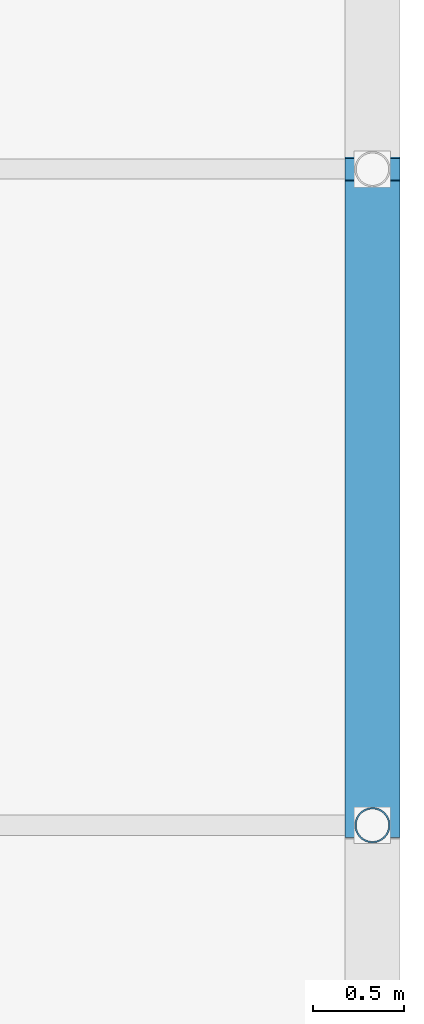
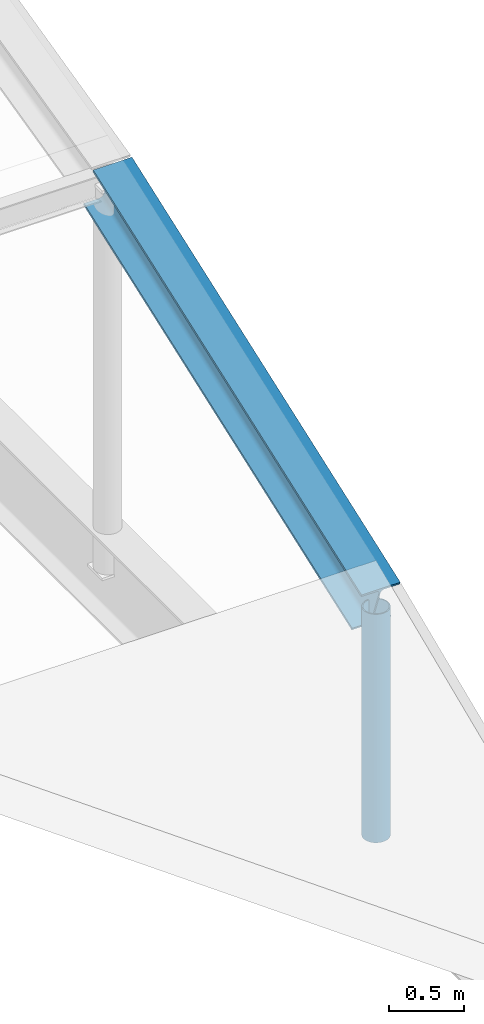
# One storey, part 173 of 239: 1 beam, 1 member.
"""IFC4 building model written with IfcOpenShell, lengths in metres."""

import ifcopenshell
import ifcopenshell.guid

model = None  # the IFC model being written
_history = None  # IfcOwnerHistory: only IFC2X3 demands one
_inside = {}  # id of a spatial element -> (the spatial element, [elements in it])
_under = {}  # id of a project, library or spatial element -> (it, [spatial elements below it])
_declared = {}  # id of a project -> (the project, [libraries it declares])
_typed = {}  # id of a type object -> (the type object, [elements of that type])
_made_of = {}  # id of a material, layer set ... -> (it, [elements and type objects made of it])


def new_model(schema):
    """Start an empty IFC model of exactly this schema.

    Asked for "IFC4X3", IfcOpenShell would pick the latest addendum, in which some entities
    have other attributes; the version numbers below select the first issue.
    IFC2X3 requires an IfcOwnerHistory on every rooted entity: one is made here for all.
    """
    global model, _history
    if schema == "IFC4X3":
        model = ifcopenshell.file(schema_version=(4, 3, 0, 0))
    else:
        model = ifcopenshell.file(schema=schema)
    _inside.clear()
    _under.clear()
    _declared.clear()
    _typed.clear()
    _made_of.clear()
    _history = None
    if model.schema == "IFC2X3":
        org = make("IfcOrganization", Name="unknown")
        user = make(
            "IfcPersonAndOrganization",
            ThePerson=make("IfcPerson", FamilyName="unknown"),
            TheOrganization=org,
        )
        app = make(
            "IfcApplication",
            ApplicationDeveloper=org,
            Version="unknown",
            ApplicationFullName="unknown",
            ApplicationIdentifier="unknown",
        )
        _history = make(
            "IfcOwnerHistory",
            OwningUser=user,
            OwningApplication=app,
            ChangeAction="ADDED",
            CreationDate=0,
        )
    return model


def make(cls, **values):
    """One entity of the class cls with the attributes given. An attribute that is None is left unset."""
    return model.create_entity(
        cls, **{name: value for name, value in values.items() if value is not None}
    )


def rooted(cls, **values):
    """An entity with a GlobalId (a new one), such as an element, a storey or a relation."""
    return make(cls, GlobalId=ifcopenshell.guid.new(), OwnerHistory=_history, **values)


def si_unit(unit_type, name, prefix=None):
    """IfcSIUnit, for example si_unit("LENGTHUNIT", "METRE", prefix="MILLI")."""
    return make("IfcSIUnit", UnitType=unit_type, Prefix=prefix, Name=name)


def assignment(units):
    """IfcUnitAssignment: the units of a project."""
    return None if units is None else make("IfcUnitAssignment", Units=units)


def point(xyz):
    """IfcCartesianPoint."""
    return None if xyz is None else make("IfcCartesianPoint", Coordinates=xyz)


def direction(xyz):
    """IfcDirection."""
    return None if xyz is None else make("IfcDirection", DirectionRatios=xyz)


def frame(location, z_axis=None, x_axis=None):
    """IfcAxis2Placement3D, a coordinate frame: its origin and axes. An axis left out is left unset."""
    return make(
        "IfcAxis2Placement3D",
        Location=point(location),
        Axis=direction(z_axis),
        RefDirection=direction(x_axis),
    )


def frame_2d(location, x_axis=None):
    """IfcAxis2Placement2D, a coordinate frame in the plane: its origin and x axis."""
    return make(
        "IfcAxis2Placement2D", Location=point(location), RefDirection=direction(x_axis)
    )


def origin():
    """The frame at (0, 0, 0) with its axes left unset."""
    return frame((0.0, 0.0, 0.0))


def origin_2d():
    """The frame at (0, 0) in the plane with its x axis left unset."""
    return frame_2d((0.0, 0.0))


def place(relative_to, where):
    """IfcLocalPlacement: puts the frame where relative to a parent placement (None: the world)."""
    return make(
        "IfcLocalPlacement", PlacementRelTo=relative_to, RelativePlacement=where
    )


def context(
    kind, dimensions, precision=None, world=None, true_north=None, identifier=None
):
    """IfcGeometricRepresentationContext, for example the 3D "Model" context."""
    return make(
        "IfcGeometricRepresentationContext",
        ContextIdentifier=identifier,
        ContextType=kind,
        CoordinateSpaceDimension=dimensions,
        Precision=precision,
        WorldCoordinateSystem=world,
        TrueNorth=true_north,
    )


def subcontext(parent, identifier, kind, view, scale=None):
    """IfcGeometricRepresentationSubContext, for example "Body" below "Model"."""
    return make(
        "IfcGeometricRepresentationSubContext",
        ContextIdentifier=identifier,
        ContextType=kind,
        ParentContext=parent,
        TargetScale=scale,
        TargetView=view,
    )


def project(units=None, contexts=None):
    """IfcProject with its units and contexts."""
    return rooted(
        "IfcProject",
        Name="project",
        RepresentationContexts=contexts,
        UnitsInContext=assignment(units),
    )


def spatial(cls, under=None, at=None, **own):
    """A site, building, storey or space (cls), placed at a placement, below another one or the project."""
    s = rooted(cls, ObjectPlacement=at, **own)
    if under is not None:
        _under.setdefault(under.id(), (under, []))[1].append(s)
    return s


def profile(cls, at=None, kind="AREA", **sizes):
    """A parametric profile (cls). Its sizes go by their IFC names, for example OverallWidth=200.0."""
    return make(cls, ProfileType=kind, Position=at, **sizes)


def hollow_circle(**sizes):
    """IfcCircleHollowProfileDef."""
    return profile("IfcCircleHollowProfileDef", **sizes)


def i_section(**sizes):
    """IfcIShapeProfileDef."""
    return profile("IfcIShapeProfileDef", **sizes)


def extrude(swept, where, along, depth):
    """IfcExtrudedAreaSolid: the profile swept, set in the frame where, extruded along a direction by depth."""
    return make(
        "IfcExtrudedAreaSolid",
        SweptArea=swept,
        Position=where,
        ExtrudedDirection=direction(along),
        Depth=depth,
    )


def shape(context_of_items, identifier, shape_type, items):
    """IfcShapeRepresentation: the items that make up one representation, for example the "Body"."""
    return make(
        "IfcShapeRepresentation",
        ContextOfItems=context_of_items,
        RepresentationIdentifier=identifier,
        RepresentationType=shape_type,
        Items=items,
    )


def material(Name=None, Category=None):
    """IfcMaterial."""
    return make("IfcMaterial", Name=Name, Category=Category)


def material_profile(
    of_material, cross_section, Name=None, Category=None, Priority=None
):
    """IfcMaterialProfile: a cross section and its material."""
    return make(
        "IfcMaterialProfile",
        Name=Name,
        Material=of_material,
        Profile=cross_section,
        Priority=Priority,
        Category=Category,
    )


def profile_set(profiles, Name=None, composite=None):
    """IfcMaterialProfileSet."""
    return make(
        "IfcMaterialProfileSet",
        Name=Name,
        MaterialProfiles=profiles,
        CompositeProfile=composite,
    )


def made_of(thing, what):
    """Note that an element or type object is made of a material, layer set ...; save() writes the relation."""
    if what is not None:
        _made_of.setdefault(what.id(), (what, []))[1].append(thing)
    return thing


def type_object(cls, material=None, **own):
    """A type object (cls), such as IfcWallType, which elements share."""
    return made_of(rooted(cls, **own), material)


def element(
    cls,
    number,
    at=None,
    inside=None,
    cuts=None,
    type_object=None,
    material=None,
    context=None,
    identifier="Body",
    shape_type=None,
    held_by="IfcProductDefinitionShape",
    body=None,
    shapes=None,
    **own,
):
    """One element of the class cls, such as IfcWall. Its Tag is "e" and its number.

    at: its placement. inside: the storey or other place that contains it. cuts: it is an
    opening in that element (IfcRelVoidsElement). A single representation is given by context,
    identifier, shape_type and body (its items); several are given by shapes. held_by: the class
    of the entity that holds the representations. save() writes the other relations.
    """
    e = rooted(cls, Tag="e%d" % number, ObjectPlacement=at, **own)
    if body is not None:
        shapes = [shape(context, identifier, shape_type, body)]
    if shapes is not None:
        e.Representation = make(held_by, Representations=shapes)
    if inside is not None:
        _inside.setdefault(inside.id(), (inside, []))[1].append(e)
    if cuts is not None:
        rooted(
            "IfcRelVoidsElement", RelatingBuildingElement=cuts, RelatedOpeningElement=e
        )
    if type_object is not None:
        _typed.setdefault(type_object.id(), (type_object, []))[1].append(e)
    return made_of(e, material)


def aggregate(whole, parts):
    """IfcRelAggregates: a whole, such as a stair, and the parts it consists of."""
    return rooted("IfcRelAggregates", RelatingObject=whole, RelatedObjects=parts)


def save(model, path):
    """Write the relations noted so far, then the file.

    IfcRelAggregates (storeys below a building ...), IfcRelContainedInSpatialStructure (elements
    in a storey), IfcRelDefinesByType, IfcRelAssociatesMaterial and IfcRelDeclares: one each for
    every whole, place, type object, material and project.
    """
    for whole, parts in _under.values():
        aggregate(whole, parts)
    for where, things in _inside.values():
        rooted(
            "IfcRelContainedInSpatialStructure",
            RelatedElements=things,
            RelatingStructure=where,
        )
    for kind, things in _typed.values():
        rooted("IfcRelDefinesByType", RelatedObjects=things, RelatingType=kind)
    for what, things in _made_of.values():
        rooted("IfcRelAssociatesMaterial", RelatedObjects=things, RelatingMaterial=what)
    for by, libraries in _declared.values():
        rooted("IfcRelDeclares", RelatingContext=by, RelatedDefinitions=libraries)
    model.write(path)


model = new_model("IFC4")

# Units and contexts
model_context = context("Model", 3, precision=1e-05, world=origin(), true_north=direction((0.0, 1.0)))
body_context = subcontext(model_context, "Body", "Model", "MODEL_VIEW")
ifc_project = project(units=[si_unit("LENGTHUNIT", "METRE"), si_unit("AREAUNIT", "SQUARE_METRE"), si_unit("VOLUMEUNIT", "CUBIC_METRE"), si_unit("PLANEANGLEUNIT", "RADIAN"), si_unit("MASSUNIT", "GRAM", prefix="KILO")], contexts=[model_context])

# Site, building, storey
site_placement = place(None, origin())
site = spatial("IfcSite", under=ifc_project, at=site_placement, CompositionType="ELEMENT")
building_placement = place(site_placement, origin())
building = spatial("IfcBuilding", under=site, at=building_placement, Name="Dunvalen Ferry Terminal", CompositionType="ELEMENT")
storey_placement = place(building_placement, frame((0.0, 0.0, 9.840087890625)))
storey = spatial("IfcBuildingStorey", under=building, at=storey_placement, Name="L02", CompositionType="ELEMENT", Elevation=9.840087890625)

# Beam
ifc_material = material(Name="Steel S355", Category="steel")
ifc_material_profile_1 = material_profile(ifc_material, i_section(OverallWidth=0.300048828125, OverallDepth=0.389892578125, WebThickness=0.010986328125, FlangeThickness=0.01904296875, FilletRadius=0.027099609375, at=origin_2d()), Name="Steel S355")
ifc_profile_set_1 = profile_set([ifc_material_profile_1], Name="Steel S355")
beam_type = type_object("IfcBeamType", Name="STR-BM-HEA400", PredefinedType="BEAM", material=ifc_profile_set_1)
beam_placement = place(storey_placement, frame((168.0, 61.199951171875, 1.530517578125), z_axis=(0.0, 0.940736051004, 0.33913962072), x_axis=(-1.0, 0.0, 0.0)))
element("IfcBeam", 1, at=beam_placement, inside=storey, type_object=beam_type, Name="Arrivals Hall Barrel-Vault Arch Rib 06.2", PredefinedType="BEAM", context=body_context, shape_type="SweptSolid", body=[
    extrude(i_section(OverallWidth=0.300048828125, OverallDepth=0.389892578125, WebThickness=0.010986328125, FlangeThickness=0.01904296875, FilletRadius=0.027099609375, at=origin_2d()), origin(), (0.0, 0.0, 1.0), 3.826904296875),
])

# Member
ifc_material_profile_2 = material_profile(ifc_material, hollow_circle(Radius=0.096923828125, WallThickness=0.008056640625, at=origin_2d()), Name="Steel S355")
ifc_profile_set_2 = profile_set([ifc_material_profile_2], Name="Steel S355")
member_type = type_object("IfcMemberType", Name="STR-MB-CHS193", PredefinedType="STRUT", material=ifc_profile_set_2)
member_placement = place(storey_placement, frame((168.0, 61.199951171875, -0.340087890625), z_axis=(0.0, 0.0, 1.0), x_axis=(1.0, 0.0, 0.0)))
element("IfcMember", 2, at=member_placement, inside=storey, type_object=member_type, Name="Arrivals Hall Vault Hanger 06.1", PredefinedType="STRUT", context=body_context, shape_type="SweptSolid", body=[
    extrude(hollow_circle(Radius=0.096923828125, WallThickness=0.008056640625, at=origin_2d()), origin(), (0.0, 0.0, 1.0), 1.87060546875),
])

save(model, "model.ifc")
